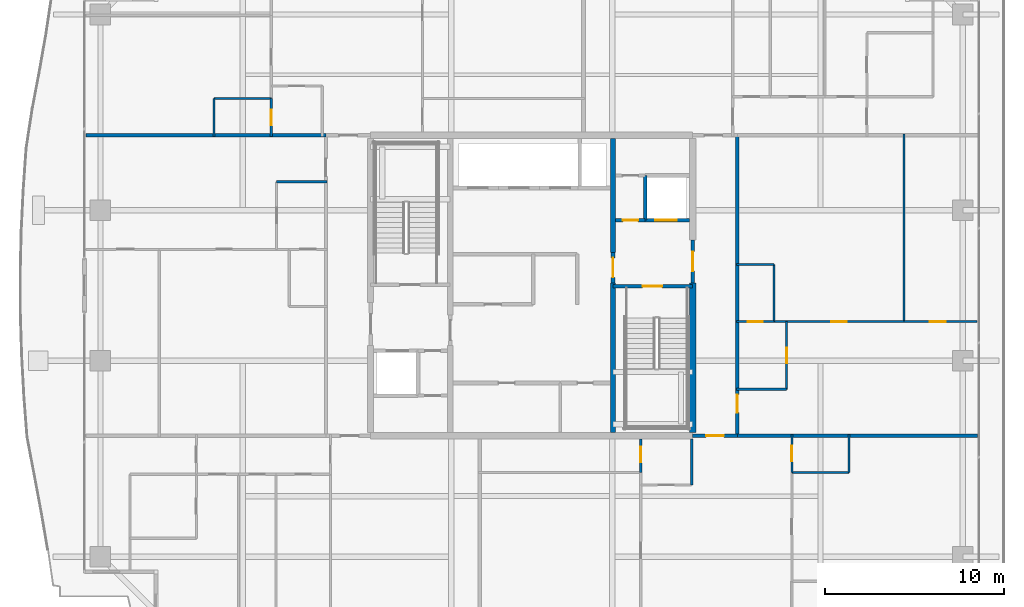
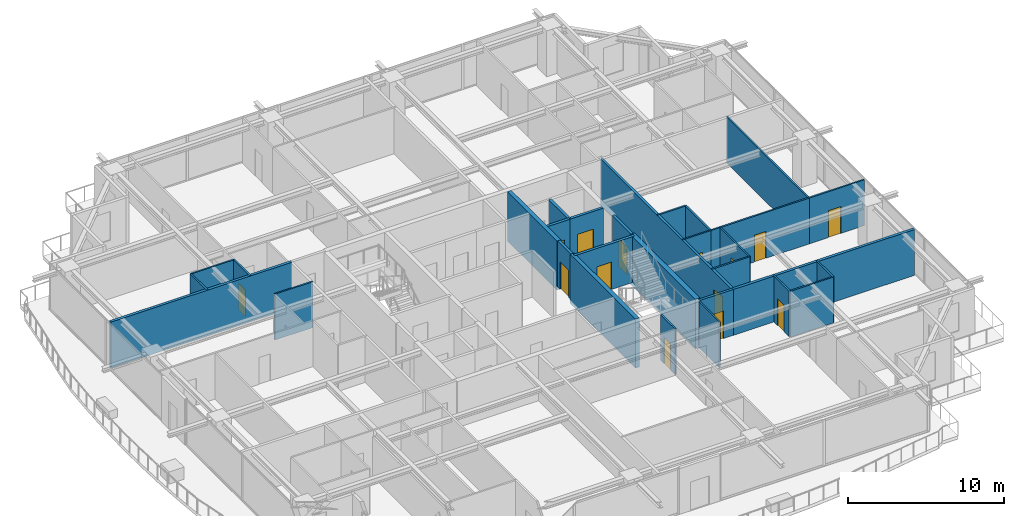
# One storey, part 26 of 35: 30 walls, 14 doors, 14 openings.
"""IFC4 building model written with IfcOpenShell, lengths in metres."""

from ifc_helpers import new_model, si_unit, direction, frame, frame_2d, origin, place, context, subcontext, project, spatial, rectangle, extrude, source, transform, mapped, material, layer, layer_set, type_object, element, fill, save


model = new_model("IFC4")

# Units and contexts
model_context = context("Model", 3, precision=1e-05, world=origin(), true_north=direction((0.0, 1.0)))
body_context = subcontext(model_context, "Body", "Model", "MODEL_VIEW")
ifc_project = project(units=[si_unit("LENGTHUNIT", "METRE"), si_unit("AREAUNIT", "SQUARE_METRE"), si_unit("VOLUMEUNIT", "CUBIC_METRE"), si_unit("PLANEANGLEUNIT", "RADIAN"), si_unit("MASSUNIT", "GRAM", prefix="KILO")], contexts=[model_context])

# Site, building, storey
site_placement = place(None, origin())
site = spatial("IfcSite", under=ifc_project, at=site_placement, CompositionType="ELEMENT")
building_placement = place(site_placement, origin())
building = spatial("IfcBuilding", under=site, at=building_placement, Name="Serunith Strait Residences", CompositionType="ELEMENT")
storey_placement = place(building_placement, frame((0.0, 0.0, 214.300048828125)))
storey = spatial("IfcBuildingStorey", under=building, at=storey_placement, Name="L53", CompositionType="ELEMENT", Elevation=214.300048828125)

# Wall, opening, door
ifc_material_1 = material(Name="Fire-rated acoustic gypsum partition")
ifc_layer_1 = layer(ifc_material_1, 0.179931640625, Name="Fire-rated acoustic gypsum partition")
ifc_layer_set_1 = layer_set([ifc_layer_1], Name="Fire-rated acoustic gypsum partition")
wall_type_1 = type_object("IfcWallType", Name="IW-CORR-180", PredefinedType="PARTITIONING", material=ifc_layer_set_1)
wall_1_placement = place(storey_placement, frame((41.402099609375, 16.800048828125, 0.0), z_axis=(0.0, 0.0, 1.0), x_axis=(1.0, 0.0, 0.0)))
wall_1 = element("IfcWall", 1, at=wall_1_placement, inside=storey, type_object=wall_type_1, Name="L53 Partition Wall 029", PredefinedType="PARTITIONING", context=body_context, shape_type="SweptSolid", body=[
    extrude(rectangle(XDim=2.495849609375, YDim=0.179931640625, at=frame_2d((1.248046875, 0.0))), origin(), (0.0, 0.0, 1.0), 3.58984375),
])
opening_1_placement = place(wall_1_placement, frame((0.748046875, 0.0, 0.0)))
opening_1 = element("IfcOpeningElement", 2, at=opening_1_placement, cuts=wall_1, Name="Opening D-APT1000", PredefinedType="OPENING", context=body_context, shape_type="SweptSolid", body=[
    extrude(rectangle(XDim=1.0, YDim=2.14990234375, at=frame_2d((0.5, 1.074951171875))), frame((0.0, 0.10009765625, 0.0), z_axis=(0.0, -1.0, 0.0), x_axis=(1.0, 0.0, 0.0)), (0.0, 0.0, 1.0), 0.199951171875),
])
ifc_material_2 = material(Name="Solid timber engineered fire door", Category="wood")
door_type_1 = type_object("IfcDoorType", Name="ID-APT-1000", OperationType="NOTDEFINED", PredefinedType="DOOR", material=ifc_material_2)
shared_shape_1 = source(origin(), body_context, "Body", "SweptSolid", [
    extrude(rectangle(XDim=1.0, YDim=2.14990234375, at=frame_2d((0.5, 1.074951171875))), frame((0.0, 0.02490234375, 0.0), z_axis=(0.0, -1.0, 0.0), x_axis=(1.0, 0.0, 0.0)), (0.0, 0.0, 1.0), 0.050048828125),
])
door_1_placement = place(opening_1_placement, origin())
door_1 = element("IfcDoor", 3, at=door_1_placement, inside=storey, type_object=door_type_1, Name="L53 Unit 02 Entrance Door", OperationType="SINGLE_SWING_LEFT", OverallHeight=2.14990234375, OverallWidth=1.0, PredefinedType="DOOR", context=body_context, shape_type="MappedRepresentation", body=[
    mapped(shared_shape_1, transform((0.0, 0.0, 0.0), scale=1.0)),
])
fill(opening_1, door_1)

wall_2_placement = place(storey_placement, frame((43.89990234375, 16.800048828125, 0.0), z_axis=(0.0, 0.0, 1.0), x_axis=(0.0, 1.0, 0.0)))
wall_2 = element("IfcWall", 4, at=wall_2_placement, inside=storey, type_object=wall_type_1, Name="L53 Partition Wall 031", PredefinedType="PARTITIONING", context=body_context, shape_type="SweptSolid", body=[
    extrude(rectangle(XDim=16.800048828125, YDim=0.179931640625, at=frame_2d((8.39990234375, 0.0))), origin(), (0.0, 0.0, 1.0), 3.58984375),
])
opening_2_placement = place(wall_2_placement, frame((1.300048828125, 0.0, 0.0)))
opening_2 = element("IfcOpeningElement", 5, at=opening_2_placement, cuts=wall_2, Name="Opening D-APT1000", PredefinedType="OPENING", context=body_context, shape_type="SweptSolid", body=[
    extrude(rectangle(XDim=1.0, YDim=2.14990234375, at=frame_2d((0.5, 1.074951171875))), frame((0.0, 0.10009765625, 0.0), z_axis=(0.0, -1.0, 0.0), x_axis=(1.0, 0.0, 0.0)), (0.0, 0.0, 1.0), 0.199951171875),
])
door_2_placement = place(opening_2_placement, origin())
door_2 = element("IfcDoor", 6, at=door_2_placement, inside=storey, type_object=door_type_1, Name="L53 Unit 06 Entrance Door", OperationType="SINGLE_SWING_LEFT", OverallHeight=2.14990234375, OverallWidth=1.0, PredefinedType="DOOR", context=body_context, shape_type="MappedRepresentation", body=[
    mapped(shared_shape_1, transform((0.0, 0.0, 0.0), scale=1.0)),
])
fill(opening_2, door_2)

# Wall
ifc_material_3 = material(Name="Lightweight steel-stud gypsum partition", Category="steel")
ifc_layer_2 = layer(ifc_material_3, 0.1201171875, Name="Lightweight steel-stud gypsum partition")
ifc_layer_set_2 = layer_set([ifc_layer_2], Name="Lightweight steel-stud gypsum partition")
wall_type_2 = type_object("IfcWallType", Name="IW-PART-120", PredefinedType="PARTITIONING", material=ifc_layer_set_2)
wall_3_placement = place(storey_placement, frame((41.35009765625, 14.050048828125, 0.0), z_axis=(0.0, 0.0, 1.0), x_axis=(0.0, 1.0, 0.0)))
element("IfcWall", 7, at=wall_3_placement, inside=storey, type_object=wall_type_2, Name="L53 Partition Wall 047", PredefinedType="PARTITIONING", context=body_context, shape_type="SweptSolid", body=[
    extrude(rectangle(XDim=2.574951171875, YDim=0.1201171875, at=frame_2d((1.28759765625, 0.0))), origin(), (0.0, 0.0, 1.0), 3.58984375),
])

# Wall, opening, door
wall_4_placement = place(storey_placement, frame((38.5, 14.751953125, 0.0), z_axis=(0.0, 0.0, 1.0), x_axis=(0.0, 1.0, 0.0)))
wall_4 = element("IfcWall", 8, at=wall_4_placement, inside=storey, type_object=wall_type_2, Name="L53 Partition Wall 052", PredefinedType="PARTITIONING", context=body_context, shape_type="SweptSolid", body=[
    extrude(rectangle(XDim=1.873046875, YDim=0.1201171875, at=frame_2d((0.9365234375, 0.0))), origin(), (0.0, 0.0, 1.0), 3.58984375),
])
opening_3_placement = place(wall_4_placement, frame((0.574951171875, 0.0, 0.0)))
opening_3 = element("IfcOpeningElement", 9, at=opening_3_placement, cuts=wall_4, Name="Opening D-BTH850", PredefinedType="OPENING", context=body_context, shape_type="SweptSolid", body=[
    extrude(rectangle(XDim=0.85009765625, YDim=2.10009765625, at=frame_2d((0.425048828125, 1.050048828125))), frame((0.0, 0.070068359375, 0.0), z_axis=(0.0, -1.0, 0.0), x_axis=(1.0, 0.0, 0.0)), (0.0, 0.0, 1.0), 0.14013671875),
])
ifc_material_4 = material(Name="Moisture-resistant timber bathroom door", Category="wood")
door_type_2 = type_object("IfcDoorType", Name="ID-BATH-850", OperationType="NOTDEFINED", PredefinedType="DOOR", material=ifc_material_4)
shared_shape_2 = source(origin(), body_context, "Body", "SweptSolid", [
    extrude(rectangle(XDim=0.85009765625, YDim=2.10009765625, at=frame_2d((0.425048828125, 1.050048828125))), frame((0.0, 0.02490234375, 0.0), z_axis=(0.0, -1.0, 0.0), x_axis=(1.0, 0.0, 0.0)), (0.0, 0.0, 1.0), 0.050048828125),
])
door_3_placement = place(opening_3_placement, origin())
door_3 = element("IfcDoor", 10, at=door_3_placement, inside=storey, type_object=door_type_2, Name="L53 Bathroom 5302 Door", OperationType="SINGLE_SWING_RIGHT", OverallHeight=2.10009765625, OverallWidth=0.85009765625, PredefinedType="DOOR", context=body_context, shape_type="MappedRepresentation", body=[
    mapped(shared_shape_2, transform((0.0, 0.0, 0.0), scale=1.0)),
])
fill(opening_3, door_3)

# Walls
wall_5_placement = place(storey_placement, frame((46.949951171875, 14.75, 0.0), z_axis=(0.0, 0.0, 1.0), x_axis=(1.0, 0.0, 0.0)))
element("IfcWall", 11, at=wall_5_placement, inside=storey, type_object=wall_type_2, Name="L53 Partition Wall 055", PredefinedType="PARTITIONING", context=body_context, shape_type="SweptSolid", body=[
    extrude(rectangle(XDim=3.199951171875, YDim=0.1201171875, at=frame_2d((1.60009765625, 0.0))), origin(), (0.0, 0.0, 1.0), 3.58984375),
])
wall_6_placement = place(storey_placement, frame((50.14990234375, 14.75, 0.0), z_axis=(0.0, 0.0, 1.0), x_axis=(0.0, 1.0, 0.0)))
element("IfcWall", 12, at=wall_6_placement, inside=storey, type_object=wall_type_2, Name="L53 Partition Wall 056", PredefinedType="PARTITIONING", context=body_context, shape_type="SweptSolid", body=[
    extrude(rectangle(XDim=2.110107421875, YDim=0.1201171875, at=frame_2d((1.05517578125, 0.0))), origin(), (0.0, 0.0, 1.0), 3.58984375),
])

# Wall, opening, door
wall_7_placement = place(storey_placement, frame((46.949951171875, 14.751953125, 0.0), z_axis=(0.0, 0.0, 1.0), x_axis=(0.0, 1.0, 0.0)))
wall_7 = element("IfcWall", 13, at=wall_7_placement, inside=storey, type_object=wall_type_2, Name="L53 Partition Wall 058", PredefinedType="PARTITIONING", context=body_context, shape_type="SweptSolid", body=[
    extrude(rectangle(XDim=2.108154296875, YDim=0.1201171875, at=frame_2d((1.05419921875, 0.0))), origin(), (0.0, 0.0, 1.0), 3.58984375),
])
opening_4_placement = place(wall_7_placement, frame((0.62890625, 0.0, 0.0)))
opening_4 = element("IfcOpeningElement", 14, at=opening_4_placement, cuts=wall_7, Name="Opening D-BTH850", PredefinedType="OPENING", context=body_context, shape_type="SweptSolid", body=[
    extrude(rectangle(XDim=0.85009765625, YDim=2.10009765625, at=frame_2d((0.425048828125, 1.050048828125))), frame((0.0, 0.070068359375, 0.0), z_axis=(0.0, -1.0, 0.0), x_axis=(1.0, 0.0, 0.0)), (0.0, 0.0, 1.0), 0.14013671875),
])
door_4_placement = place(opening_4_placement, origin())
door_4 = element("IfcDoor", 15, at=door_4_placement, inside=storey, type_object=door_type_2, Name="L53 Bathroom 5302 Door", OperationType="SINGLE_SWING_LEFT", OverallHeight=2.10009765625, OverallWidth=0.85009765625, PredefinedType="DOOR", context=body_context, shape_type="MappedRepresentation", body=[
    mapped(shared_shape_2, transform((0.0, 0.0, 0.0), scale=1.0)),
])
fill(opening_4, door_4)

# Walls
wall_8_placement = place(storey_placement, frame((14.64990234375, 35.64990234375, 0.0), z_axis=(0.0, 0.0, 1.0), x_axis=(1.0, 0.0, 0.0)))
element("IfcWall", 16, at=wall_8_placement, inside=storey, type_object=wall_type_2, Name="L53 Partition Wall 063", PredefinedType="PARTITIONING", context=body_context, shape_type="SweptSolid", body=[
    extrude(rectangle(XDim=3.2001953125, YDim=0.1201171875, at=frame_2d((1.60009765625, 0.0))), origin(), (0.0, 0.0, 1.0), 3.58984375),
])
wall_9_placement = place(storey_placement, frame((14.64990234375, 35.64990234375, 0.0), z_axis=(0.0, 0.0, 1.0), x_axis=(0.0, -1.0, 0.0)))
element("IfcWall", 17, at=wall_9_placement, inside=storey, type_object=wall_type_2, Name="L53 Partition Wall 064", PredefinedType="PARTITIONING", context=body_context, shape_type="SweptSolid", body=[
    extrude(rectangle(XDim=2.10986328125, YDim=0.1201171875, at=frame_2d((1.054931640625, 0.0))), origin(), (0.0, 0.0, 1.0), 3.58984375),
])

# Wall, opening, door
wall_10_placement = place(storey_placement, frame((17.85009765625, 35.64794921875, 0.0), z_axis=(0.0, 0.0, 1.0), x_axis=(0.0, -1.0, 0.0)))
wall_10 = element("IfcWall", 18, at=wall_10_placement, inside=storey, type_object=wall_type_2, Name="L53 Partition Wall 066", PredefinedType="PARTITIONING", context=body_context, shape_type="SweptSolid", body=[
    extrude(rectangle(XDim=2.10791015625, YDim=0.1201171875, at=frame_2d((1.053955078125, 0.0))), origin(), (0.0, 0.0, 1.0), 3.58984375),
])
opening_5_placement = place(wall_10_placement, frame((0.62890625, 0.0, 0.0)))
opening_5 = element("IfcOpeningElement", 19, at=opening_5_placement, cuts=wall_10, Name="Opening D-BTH850", PredefinedType="OPENING", context=body_context, shape_type="SweptSolid", body=[
    extrude(rectangle(XDim=0.85009765625, YDim=2.10009765625, at=frame_2d((0.425048828125, 1.050048828125))), frame((0.0, 0.070068359375, 0.0), z_axis=(0.0, -1.0, 0.0), x_axis=(1.0, 0.0, 0.0)), (0.0, 0.0, 1.0), 0.14013671875),
])
door_5_placement = place(opening_5_placement, origin())
door_5 = element("IfcDoor", 20, at=door_5_placement, inside=storey, type_object=door_type_2, Name="L53 Bathroom 5303 Door", OperationType="SINGLE_SWING_LEFT", OverallHeight=2.10009765625, OverallWidth=0.85009765625, PredefinedType="DOOR", context=body_context, shape_type="MappedRepresentation", body=[
    mapped(shared_shape_2, transform((0.0, 0.0, 0.0), scale=1.0)),
])
fill(opening_5, door_5)

# Wall
wall_11_placement = place(storey_placement, frame((18.14990234375, 31.0, 0.0), z_axis=(0.0, 0.0, 1.0), x_axis=(1.0, 0.0, 0.0)))
element("IfcWall", 21, at=wall_11_placement, inside=storey, type_object=wall_type_2, Name="L53 Partition Wall 087", PredefinedType="PARTITIONING", context=body_context, shape_type="SweptSolid", body=[
    extrude(rectangle(XDim=2.81005859375, YDim=0.1201171875, at=frame_2d((1.405029296875, 0.0))), origin(), (0.0, 0.0, 1.0), 3.58984375),
])

# Wall, opening, door
wall_12_placement = place(storey_placement, frame((46.64990234375, 19.39990234375, 0.0), z_axis=(0.0, 0.0, 1.0), x_axis=(0.0, 1.0, 0.0)))
wall_12 = element("IfcWall", 22, at=wall_12_placement, inside=storey, type_object=wall_type_2, Name="L53 Partition Wall 094", PredefinedType="PARTITIONING", context=body_context, shape_type="SweptSolid", body=[
    extrude(rectangle(XDim=3.780029296875, YDim=0.1201171875, at=frame_2d((1.89013671875, 0.0))), origin(), (0.0, 0.0, 1.0), 3.58984375),
])
opening_6_placement = place(wall_12_placement, frame((1.465087890625, 0.0, 0.0)))
opening_6 = element("IfcOpeningElement", 23, at=opening_6_placement, cuts=wall_12, Name="Opening D-RM850", PredefinedType="OPENING", context=body_context, shape_type="SweptSolid", body=[
    extrude(rectangle(XDim=0.85009765625, YDim=2.10009765625, at=frame_2d((0.425048828125, 1.050048828125))), frame((0.0, 0.070068359375, 0.0), z_axis=(0.0, -1.0, 0.0), x_axis=(1.0, 0.0, 0.0)), (0.0, 0.0, 1.0), 0.14013671875),
])
ifc_material_5 = material(Name="Engineered timber flush study and kitchen door", Category="wood")
door_type_3 = type_object("IfcDoorType", Name="ID-ROOM-850", OperationType="NOTDEFINED", PredefinedType="DOOR", material=ifc_material_5)
door_6_placement = place(opening_6_placement, origin())
door_6 = element("IfcDoor", 24, at=door_6_placement, inside=storey, type_object=door_type_3, Name="L53 Kitchen 5306 Door", OperationType="SINGLE_SWING_RIGHT", OverallHeight=2.10009765625, OverallWidth=0.85009765625, PredefinedType="DOOR", context=body_context, shape_type="MappedRepresentation", body=[
    mapped(shared_shape_2, transform((0.0, 0.0, 0.0), scale=1.0)),
])
fill(opening_6, door_6)

# Wall
wall_13_placement = place(storey_placement, frame((46.64990234375, 19.39990234375, 0.0), z_axis=(0.0, 0.0, 1.0), x_axis=(-1.0, 0.0, 0.0)))
element("IfcWall", 25, at=wall_13_placement, inside=storey, type_object=wall_type_2, Name="L53 Partition Wall 095", PredefinedType="PARTITIONING", context=body_context, shape_type="SweptSolid", body=[
    extrude(rectangle(XDim=2.809814453125, YDim=0.1201171875, at=frame_2d((1.40478515625, 0.0))), origin(), (0.0, 0.0, 1.0), 3.58984375),
])

# Wall, opening, door
wall_14_placement = place(storey_placement, frame((57.304931640625, 23.179931640625, 0.0), z_axis=(0.0, 0.0, 1.0), x_axis=(-1.0, 0.0, 0.0)))
wall_14 = element("IfcWall", 26, at=wall_14_placement, inside=storey, type_object=wall_type_2, Name="L53 Partition Wall 096", PredefinedType="PARTITIONING", context=body_context, shape_type="SweptSolid", body=[
    extrude(rectangle(XDim=4.0888671875, YDim=0.1201171875, at=frame_2d((2.04443359375, 0.0))), origin(), (0.0, 0.0, 1.0), 3.58984375),
])
opening_7_placement = place(wall_14_placement, frame((1.75390625, 0.0, 0.0)))
opening_7 = element("IfcOpeningElement", 27, at=opening_7_placement, cuts=wall_14, Name="Opening D-RM900", PredefinedType="OPENING", context=body_context, shape_type="SweptSolid", body=[
    extrude(rectangle(XDim=0.89990234375, YDim=2.10009765625, at=frame_2d((0.449951171875, 1.050048828125))), frame((0.0, 0.070068359375, 0.0), z_axis=(0.0, -1.0, 0.0), x_axis=(1.0, 0.0, 0.0)), (0.0, 0.0, 1.0), 0.14013671875),
])
ifc_material_6 = material(Name="Engineered timber flush bedroom door", Category="wood")
door_type_4 = type_object("IfcDoorType", Name="ID-ROOM-900", OperationType="NOTDEFINED", PredefinedType="DOOR", material=ifc_material_6)
shared_shape_3 = source(origin(), body_context, "Body", "SweptSolid", [
    extrude(rectangle(XDim=0.89990234375, YDim=2.10009765625, at=frame_2d((0.449951171875, 1.050048828125))), frame((0.0, 0.02490234375, 0.0), z_axis=(0.0, -1.0, 0.0), x_axis=(1.0, 0.0, 0.0)), (0.0, 0.0, 1.0), 0.050048828125),
])
door_7_placement = place(opening_7_placement, origin())
door_7 = element("IfcDoor", 28, at=door_7_placement, inside=storey, type_object=door_type_4, Name="L53 Master Bedroom 1 5306 Door", OperationType="SINGLE_SWING_LEFT", OverallHeight=2.10009765625, OverallWidth=0.89990234375, PredefinedType="DOOR", context=body_context, shape_type="MappedRepresentation", body=[
    mapped(shared_shape_3, transform((0.0, 0.0, 0.0), scale=1.0)),
])
fill(opening_7, door_7)

# Walls
wall_15_placement = place(storey_placement, frame((53.216064453125, 23.179931640625, 0.0), z_axis=(0.0, 0.0, 1.0), x_axis=(0.0, 1.0, 0.0)))
element("IfcWall", 29, at=wall_15_placement, inside=storey, type_object=wall_type_2, Name="L53 Partition Wall 097", PredefinedType="PARTITIONING", context=body_context, shape_type="SweptSolid", body=[
    extrude(rectangle(XDim=10.47998046875, YDim=0.1201171875, at=frame_2d((5.239990234375, 0.0))), origin(), (0.0, 0.0, 1.0), 3.58984375),
])
wall_16_placement = place(storey_placement, frame((45.949951171875, 23.179931640625, 0.0), z_axis=(0.0, 0.0, 1.0), x_axis=(0.0, 1.0, 0.0)))
element("IfcWall", 30, at=wall_16_placement, inside=storey, type_object=wall_type_2, Name="L53 Partition Wall 098", PredefinedType="PARTITIONING", context=body_context, shape_type="SweptSolid", body=[
    extrude(rectangle(XDim=3.199951171875, YDim=0.1201171875, at=frame_2d((1.60009765625, 0.0))), origin(), (0.0, 0.0, 1.0), 3.58984375),
])
wall_17_placement = place(storey_placement, frame((45.949951171875, 26.3798828125, 0.0), z_axis=(0.0, 0.0, 1.0), x_axis=(-1.0, 0.0, 0.0)))
element("IfcWall", 31, at=wall_17_placement, inside=storey, type_object=wall_type_2, Name="L53 Partition Wall 099", PredefinedType="PARTITIONING", context=body_context, shape_type="SweptSolid", body=[
    extrude(rectangle(XDim=2.10986328125, YDim=0.1201171875, at=frame_2d((1.054931640625, 0.0))), origin(), (0.0, 0.0, 1.0), 3.58984375),
])

# Wall, opening, door
wall_18_placement = place(storey_placement, frame((53.214111328125, 23.179931640625, 0.0), z_axis=(0.0, 0.0, 1.0), x_axis=(-1.0, 0.0, 0.0)))
wall_18 = element("IfcWall", 32, at=wall_18_placement, inside=storey, type_object=wall_type_2, Name="L53 Partition Wall 100", PredefinedType="PARTITIONING", context=body_context, shape_type="SweptSolid", body=[
    extrude(rectangle(XDim=7.26416015625, YDim=0.1201171875, at=frame_2d((3.632080078125, 0.0))), origin(), (0.0, 0.0, 1.0), 3.58984375),
])
opening_8_placement = place(wall_18_placement, frame((3.20703125, 0.0, 0.0)))
opening_8 = element("IfcOpeningElement", 33, at=opening_8_placement, cuts=wall_18, Name="Opening D-RM850", PredefinedType="OPENING", context=body_context, shape_type="SweptSolid", body=[
    extrude(rectangle(XDim=0.85009765625, YDim=2.10009765625, at=frame_2d((0.425048828125, 1.050048828125))), frame((0.0, 0.070068359375, 0.0), z_axis=(0.0, -1.0, 0.0), x_axis=(1.0, 0.0, 0.0)), (0.0, 0.0, 1.0), 0.14013671875),
])
door_8_placement = place(opening_8_placement, origin())
door_8 = element("IfcDoor", 34, at=door_8_placement, inside=storey, type_object=door_type_3, Name="L53 Walk-in Wardrobe 5306 Door", OperationType="SINGLE_SWING_RIGHT", OverallHeight=2.10009765625, OverallWidth=0.85009765625, PredefinedType="DOOR", context=body_context, shape_type="MappedRepresentation", body=[
    mapped(shared_shape_2, transform((0.0, 0.0, 0.0), scale=1.0)),
])
fill(opening_8, door_8)

wall_19_placement = place(storey_placement, frame((45.947998046875, 23.179931640625, 0.0), z_axis=(0.0, 0.0, 1.0), x_axis=(-1.0, 0.0, 0.0)))
wall_19 = element("IfcWall", 35, at=wall_19_placement, inside=storey, type_object=wall_type_2, Name="L53 Partition Wall 101", PredefinedType="PARTITIONING", context=body_context, shape_type="SweptSolid", body=[
    extrude(rectangle(XDim=2.10791015625, YDim=0.1201171875, at=frame_2d((1.053955078125, 0.0))), origin(), (0.0, 0.0, 1.0), 3.58984375),
])
opening_9_placement = place(wall_19_placement, frame((0.62890625, 0.0, 0.0)))
opening_9 = element("IfcOpeningElement", 36, at=opening_9_placement, cuts=wall_19, Name="Opening D-BTH850", PredefinedType="OPENING", context=body_context, shape_type="SweptSolid", body=[
    extrude(rectangle(XDim=0.85009765625, YDim=2.10009765625, at=frame_2d((0.425048828125, 1.050048828125))), frame((0.0, 0.070068359375, 0.0), z_axis=(0.0, -1.0, 0.0), x_axis=(1.0, 0.0, 0.0)), (0.0, 0.0, 1.0), 0.14013671875),
])
door_9_placement = place(opening_9_placement, origin())
door_9 = element("IfcDoor", 37, at=door_9_placement, inside=storey, type_object=door_type_2, Name="L53 Bathroom 5306 Door", OperationType="SINGLE_SWING_LEFT", OverallHeight=2.10009765625, OverallWidth=0.85009765625, PredefinedType="DOOR", context=body_context, shape_type="MappedRepresentation", body=[
    mapped(shared_shape_2, transform((0.0, 0.0, 0.0), scale=1.0)),
])
fill(opening_9, door_9)

# Walls
ifc_material_7 = material(Name="Twin-stud acoustic gypsum board partition")
ifc_layer_3 = layer(ifc_material_7, 0.199951171875, Name="Twin-stud acoustic gypsum board partition")
ifc_layer_set_3 = layer_set([ifc_layer_3], Name="Twin-stud acoustic gypsum board partition")
wall_type_3 = type_object("IfcWallType", Name="IW-PARTY-200", PredefinedType="PARTITIONING", material=ifc_layer_set_3)
wall_20_placement = place(storey_placement, frame((43.89990234375, 16.800048828125, 0.0), z_axis=(0.0, 0.0, 1.0), x_axis=(1.0, 0.0, 0.0)))
element("IfcWall", 38, at=wall_20_placement, inside=storey, type_object=wall_type_3, Name="L53 Partition Wall 023", PredefinedType="PARTITIONING", context=body_context, shape_type="SweptSolid", body=[
    extrude(rectangle(XDim=13.418212890625, YDim=0.199951171875, at=frame_2d((6.708984375, 0.0))), origin(), (0.0, 0.0, 1.0), 3.58984375),
])
wall_21_placement = place(storey_placement, frame((7.48193359375, 33.60009765625, 0.0), z_axis=(0.0, 0.0, 1.0), x_axis=(1.0, 0.0, 0.0)))
element("IfcWall", 39, at=wall_21_placement, inside=storey, type_object=wall_type_3, Name="L53 Partition Wall 024", PredefinedType="PARTITIONING", context=body_context, shape_type="SweptSolid", body=[
    extrude(rectangle(XDim=13.41796875, YDim=0.199951171875, at=frame_2d((6.708984375, 0.0))), origin(), (0.0, 0.0, 1.0), 3.58984375),
])

# Wall, opening, door
ifc_material_8 = material(Name="Autoclaved aerated concrete blockwork", Category="masonry")
ifc_layer_4 = layer(ifc_material_8, 0.199951171875, Name="Autoclaved aerated concrete blockwork")
ifc_layer_set_4 = layer_set([ifc_layer_4], Name="Autoclaved aerated concrete blockwork")
wall_type_4 = type_object("IfcWallType", Name="IW-SHAFT-200", PredefinedType="STANDARD", material=ifc_layer_set_4)
wall_22_placement = place(storey_placement, frame((36.949951171875, 25.14990234375, 0.0), z_axis=(0.0, 0.0, 1.0), x_axis=(1.0, 0.0, 0.0)))
wall_22 = element("IfcWall", 40, at=wall_22_placement, inside=storey, type_object=wall_type_4, Name="L53 ST-2 North Shaft Wall", PredefinedType="STANDARD", context=body_context, shape_type="SweptSolid", body=[
    extrude(rectangle(XDim=4.449951171875, YDim=0.199951171875, at=frame_2d((2.22509765625, 0.0))), origin(), (0.0, 0.0, 1.0), 3.58984375),
])
opening_10_placement = place(wall_22_placement, frame((1.64990234375, 0.0, 0.0)))
opening_10 = element("IfcOpeningElement", 41, at=opening_10_placement, cuts=wall_22, Name="Opening FD-1100", PredefinedType="OPENING", context=body_context, shape_type="SweptSolid", body=[
    extrude(rectangle(XDim=1.10009765625, YDim=2.14990234375, at=frame_2d((0.550048828125, 1.074951171875))), frame((0.0, 0.10986328125, 0.0), z_axis=(0.0, -1.0, 0.0), x_axis=(1.0, 0.0, 0.0)), (0.0, 0.0, 1.0), 0.219970703125),
])
ifc_material_9 = material(Name="Galvanised steel fire door leaf", Category="steel")
door_type_5 = type_object("IfcDoorType", Name="FD-STAIR-1100", OperationType="NOTDEFINED", PredefinedType="DOOR", material=ifc_material_9)
shared_shape_4 = source(origin(), body_context, "Body", "SweptSolid", [
    extrude(rectangle(XDim=1.10009765625, YDim=2.14990234375, at=frame_2d((0.550048828125, 1.074951171875))), frame((0.0, 0.02490234375, 0.0), z_axis=(0.0, -1.0, 0.0), x_axis=(1.0, 0.0, 0.0)), (0.0, 0.0, 1.0), 0.050048828125),
])
door_10_placement = place(opening_10_placement, origin())
door_10 = element("IfcDoor", 42, at=door_10_placement, inside=storey, type_object=door_type_5, Name="L53 ST-2 Escape Stair Door", OperationType="SINGLE_SWING_RIGHT", OverallHeight=2.14990234375, OverallWidth=1.10009765625, PredefinedType="DOOR", context=body_context, shape_type="MappedRepresentation", body=[
    mapped(shared_shape_4, transform((0.0, 0.0, 0.0), scale=1.0)),
])
fill(opening_10, door_10)

wall_23_placement = place(storey_placement, frame((38.75, 28.85009765625, 0.0), z_axis=(0.0, 0.0, 1.0), x_axis=(1.0, 0.0, 0.0)))
wall_23 = element("IfcWall", 43, at=wall_23_placement, inside=storey, type_object=wall_type_4, Name="L53 FL-2 South Shaft Wall", PredefinedType="STANDARD", context=body_context, shape_type="SweptSolid", body=[
    extrude(rectangle(XDim=2.47509765625, YDim=0.199951171875, at=frame_2d((1.237548828125, 0.0))), origin(), (0.0, 0.0, 1.0), 3.58984375),
])
opening_11_placement = place(wall_23_placement, frame((0.550048828125, 0.0, 0.0)))
opening_11 = element("IfcOpeningElement", 44, at=opening_11_placement, cuts=wall_23, Name="Opening LD-FF1200", PredefinedType="OPENING", context=body_context, shape_type="SweptSolid", body=[
    extrude(rectangle(XDim=1.199951171875, YDim=2.199951171875, at=frame_2d((0.60009765625, 1.10009765625))), frame((0.0, 0.10986328125, 0.0), z_axis=(0.0, -1.0, 0.0), x_axis=(1.0, 0.0, 0.0)), (0.0, 0.0, 1.0), 0.219970703125),
])
ifc_material_10 = material(Name="Brushed stainless steel landing door", Category="steel")
door_type_6 = type_object("IfcDoorType", Name="LD-FF-1200", OperationType="DOUBLE_DOOR_SLIDING", PredefinedType="DOOR", material=ifc_material_10)
shared_shape_5 = source(origin(), body_context, "Body", "SweptSolid", [
    extrude(rectangle(XDim=1.199951171875, YDim=2.199951171875, at=frame_2d((0.60009765625, 1.10009765625))), frame((0.0, 0.02490234375, 0.0), z_axis=(0.0, -1.0, 0.0), x_axis=(1.0, 0.0, 0.0)), (0.0, 0.0, 1.0), 0.050048828125),
])
door_11_placement = place(opening_11_placement, origin())
door_11 = element("IfcDoor", 45, at=door_11_placement, inside=storey, type_object=door_type_6, Name="L53 FL-2 Landing Door", OperationType="DOUBLE_DOOR_SLIDING", OverallHeight=2.199951171875, OverallWidth=1.199951171875, PredefinedType="DOOR", context=body_context, shape_type="MappedRepresentation", body=[
    mapped(shared_shape_5, transform((0.0, 0.0, 0.0), scale=1.0)),
])
fill(opening_11, door_11)

# Wall
wall_24_placement = place(storey_placement, frame((38.75, 28.85009765625, 0.0), z_axis=(0.0, 0.0, 1.0), x_axis=(0.0, 1.0, 0.0)))
element("IfcWall", 46, at=wall_24_placement, inside=storey, type_object=wall_type_4, Name="L53 Partition Wall 004", PredefinedType="STANDARD", context=body_context, shape_type="SweptSolid", body=[
    extrude(rectangle(XDim=2.5, YDim=0.199951171875, at=frame_2d((1.25, 0.0))), origin(), (0.0, 0.0, 1.0), 3.58984375),
])

# Wall, opening, door
wall_25_placement = place(storey_placement, frame((37.10009765625, 28.85009765625, 0.0), z_axis=(0.0, 0.0, 1.0), x_axis=(1.0, 0.0, 0.0)))
wall_25 = element("IfcWall", 47, at=wall_25_placement, inside=storey, type_object=wall_type_4, Name="L53 Partition Wall 006", PredefinedType="STANDARD", context=body_context, shape_type="SweptSolid", body=[
    extrude(rectangle(XDim=1.64794921875, YDim=0.199951171875, at=frame_2d((0.823974609375, 0.0))), origin(), (0.0, 0.0, 1.0), 3.58984375),
])
opening_12_placement = place(wall_25_placement, frame((0.39892578125, 0.0, 0.0)))
opening_12 = element("IfcOpeningElement", 48, at=opening_12_placement, cuts=wall_25, Name="Opening FD-850", PredefinedType="OPENING", context=body_context, shape_type="SweptSolid", body=[
    extrude(rectangle(XDim=0.85009765625, YDim=2.10009765625, at=frame_2d((0.425048828125, 1.050048828125))), frame((0.0, 0.10986328125, 0.0), z_axis=(0.0, -1.0, 0.0), x_axis=(1.0, 0.0, 0.0)), (0.0, 0.0, 1.0), 0.219970703125),
])
ifc_material_11 = material(Name="Powder-coated steel service closet door", Category="steel")
door_type_7 = type_object("IfcDoorType", Name="FD-BOH-850", OperationType="NOTDEFINED", PredefinedType="DOOR", material=ifc_material_11)
door_12_placement = place(opening_12_placement, origin())
door_12 = element("IfcDoor", 49, at=door_12_placement, inside=storey, type_object=door_type_7, Name="L53 North-East Core Service Door", OperationType="SINGLE_SWING_RIGHT", OverallHeight=2.10009765625, OverallWidth=0.85009765625, PredefinedType="DOOR", context=body_context, shape_type="MappedRepresentation", body=[
    mapped(shared_shape_2, transform((0.0, 0.0, 0.0), scale=1.0)),
])
fill(opening_12, door_12)

wall_26_placement = place(storey_placement, frame((41.39990234375, 25.35205078125, 0.0), z_axis=(0.0, 0.0, 1.0), x_axis=(0.0, 1.0, 0.0)))
wall_26 = element("IfcWall", 50, at=wall_26_placement, inside=storey, type_object=wall_type_4, Name="L53 Partition Wall 008", PredefinedType="STANDARD", context=body_context, shape_type="SweptSolid", body=[
    extrude(rectangle(XDim=2.39599609375, YDim=0.199951171875, at=frame_2d((1.197998046875, 0.0))), origin(), (0.0, 0.0, 1.0), 3.58984375),
])
opening_13_placement = place(wall_26_placement, frame((0.64794921875, 0.0, 0.0)))
opening_13 = element("IfcOpeningElement", 51, at=opening_13_placement, cuts=wall_26, Name="Opening FD-FFL", PredefinedType="OPENING", context=body_context, shape_type="SweptSolid", body=[
    extrude(rectangle(XDim=1.10009765625, YDim=2.14990234375, at=frame_2d((0.550048828125, 1.074951171875))), frame((0.0, 0.10986328125, 0.0), z_axis=(0.0, -1.0, 0.0), x_axis=(1.0, 0.0, 0.0)), (0.0, 0.0, 1.0), 0.219970703125),
])
ifc_material_12 = material(Name="Glazed steel smoke-lobby fire door", Category="steel")
door_type_8 = type_object("IfcDoorType", Name="FD-FFL-1100", OperationType="NOTDEFINED", PredefinedType="DOOR", material=ifc_material_12)
door_13_placement = place(opening_13_placement, origin())
door_13 = element("IfcDoor", 52, at=door_13_placement, inside=storey, type_object=door_type_8, Name="L53 FFL-2 Corridor Fire Door", OperationType="SINGLE_SWING_RIGHT", OverallHeight=2.14990234375, OverallWidth=1.10009765625, PredefinedType="DOOR", context=body_context, shape_type="MappedRepresentation", body=[
    mapped(shared_shape_4, transform((0.0, 0.0, 0.0), scale=1.0)),
])
fill(opening_13, door_13)

wall_27_placement = place(storey_placement, frame((36.949951171875, 25.35205078125, 0.0), z_axis=(0.0, 0.0, 1.0), x_axis=(0.0, 1.0, 0.0)))
wall_27 = element("IfcWall", 53, at=wall_27_placement, inside=storey, type_object=wall_type_4, Name="L53 Partition Wall 010", PredefinedType="STANDARD", context=body_context, shape_type="SweptSolid", body=[
    extrude(rectangle(XDim=1.696044921875, YDim=0.199951171875, at=frame_2d((0.84814453125, 0.0))), origin(), (0.0, 0.0, 1.0), 3.58984375),
])
opening_14_placement = place(wall_27_placement, frame((0.298095703125, 0.0, 0.0)))
opening_14 = element("IfcOpeningElement", 54, at=opening_14_placement, cuts=wall_27, Name="Opening FD-FFL", PredefinedType="OPENING", context=body_context, shape_type="SweptSolid", body=[
    extrude(rectangle(XDim=1.10009765625, YDim=2.14990234375, at=frame_2d((0.550048828125, 1.074951171875))), frame((0.0, 0.10986328125, 0.0), z_axis=(0.0, -1.0, 0.0), x_axis=(1.0, 0.0, 0.0)), (0.0, 0.0, 1.0), 0.219970703125),
])
door_14_placement = place(opening_14_placement, origin())
door_14 = element("IfcDoor", 55, at=door_14_placement, inside=storey, type_object=door_type_8, Name="L53 FFL-2 Lift Lobby Door", OperationType="SINGLE_SWING_RIGHT", OverallHeight=2.14990234375, OverallWidth=1.10009765625, PredefinedType="DOOR", context=body_context, shape_type="MappedRepresentation", body=[
    mapped(shared_shape_4, transform((0.0, 0.0, 0.0), scale=1.0)),
])
fill(opening_14, door_14)

# Walls
ifc_material_13 = material(Name="Concrete C60/75", Category="concrete")
ifc_layer_5 = layer(ifc_material_13, 0.300048828125, Name="Concrete C60/75")
ifc_layer_set_5 = layer_set([ifc_layer_5], Name="Concrete C60/75")
wall_type_5 = type_object("IfcWallType", Name="SW-300-C60", PredefinedType="SHEAR", material=ifc_layer_set_5)
wall_28_placement = place(storey_placement, frame((36.949951171875, 16.97509765625, -0.260009765625), z_axis=(0.0, 0.0, 1.0), x_axis=(0.0, 1.0, 0.0)))
element("IfcWall", 56, at=wall_28_placement, inside=storey, type_object=wall_type_5, Name="L53 Core Internal East Web South Pier", PredefinedType="SHEAR", context=body_context, shape_type="SweptSolid", body=[
    extrude(rectangle(XDim=8.375, YDim=0.300048828125, at=frame_2d((4.1875, 0.0))), origin(), (0.0, 0.0, 1.0), 3.847900390625),
])
wall_29_placement = place(storey_placement, frame((36.949951171875, 27.050048828125, -0.260009765625), z_axis=(0.0, 0.0, 1.0), x_axis=(0.0, 1.0, 0.0)))
element("IfcWall", 57, at=wall_29_placement, inside=storey, type_object=wall_type_5, Name="L53 Core Internal East Web North Pier", PredefinedType="SHEAR", context=body_context, shape_type="SweptSolid", body=[
    extrude(rectangle(XDim=6.375, YDim=0.300048828125, at=frame_2d((3.1875, 0.0))), origin(), (0.0, 0.0, 1.0), 3.847900390625),
])
ifc_layer_6 = layer(ifc_material_13, 0.35009765625, Name="Concrete C60/75")
ifc_layer_set_6 = layer_set([ifc_layer_6], Name="Concrete C60/75")
wall_type_6 = type_object("IfcWallType", Name="SW-350-C60", PredefinedType="SHEAR", material=ifc_layer_set_6)
wall_30_placement = place(storey_placement, frame((41.39990234375, 16.97509765625, -0.260009765625), z_axis=(0.0, 0.0, 1.0), x_axis=(0.0, 1.0, 0.0)))
element("IfcWall", 58, at=wall_30_placement, inside=storey, type_object=wall_type_6, Name="L53 Core East Shear Wall South Pier", PredefinedType="SHEAR", context=body_context, shape_type="SweptSolid", body=[
    extrude(rectangle(XDim=8.375, YDim=0.35009765625, at=frame_2d((4.1875, 0.0))), origin(), (0.0, 0.0, 1.0), 3.847900390625),
])

save(model, "model.ifc")
